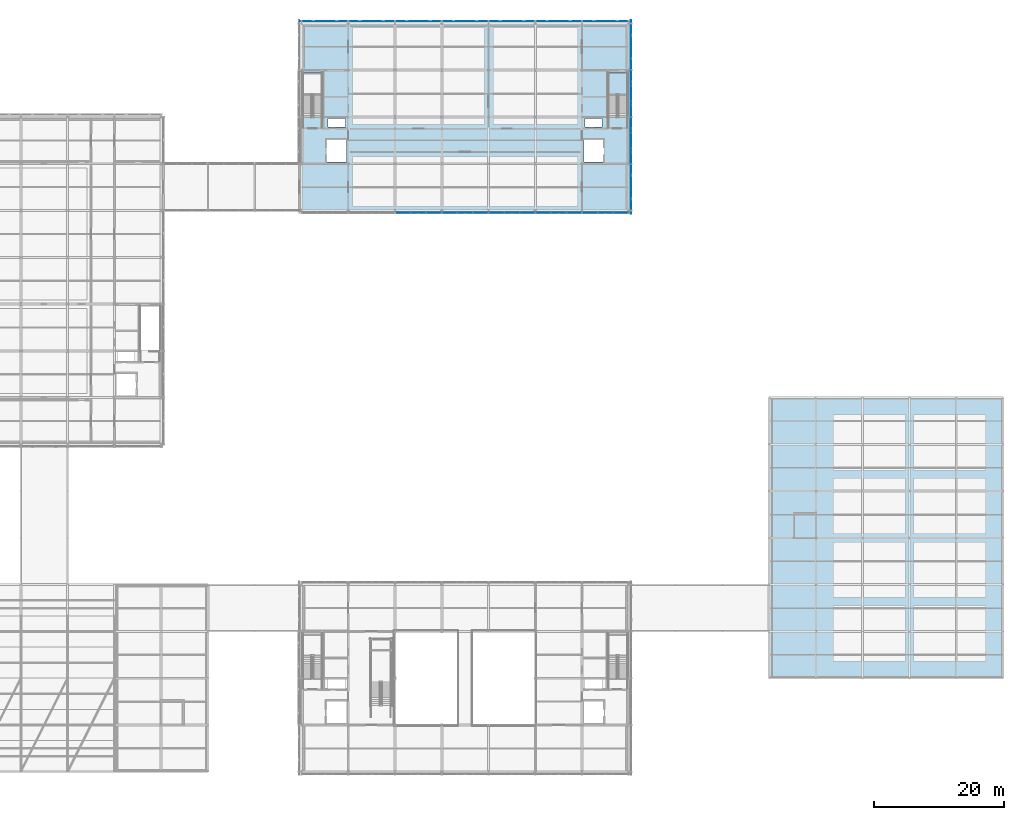
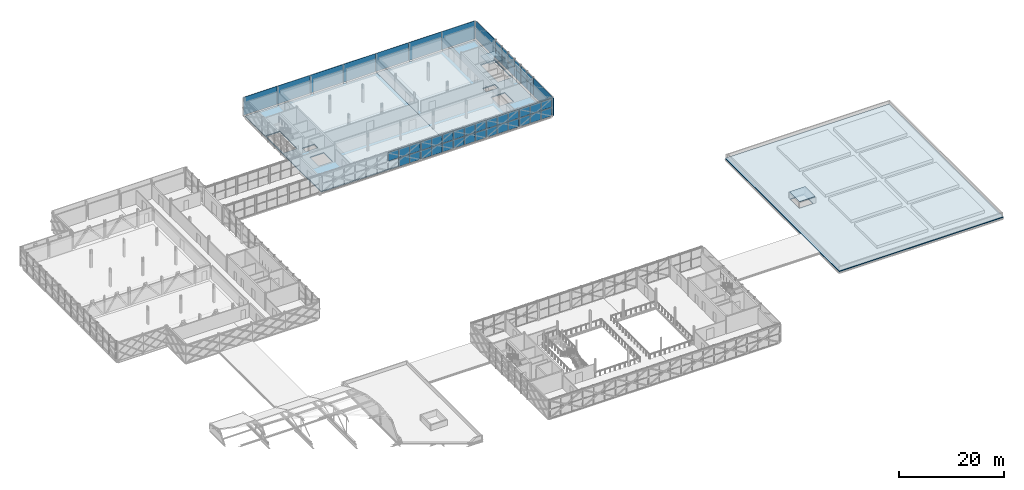
# One storey, part 71 of 103: 50 plates, 5 slabs, 8 elements without a shape of their own.
"""IFC4 building model written with IfcOpenShell, lengths in metres."""

from ifc_helpers import new_model, si_unit, direction, frame, origin, origin_2d, place, context, subcontext, project, spatial, polyline, rectangle, outline, extrude, material, layer, layer_set, type_object, element, aggregate, save


model = new_model("IFC4")

# Units and contexts
model_context = context("Model", 3, precision=1e-05, world=origin(), true_north=direction((0.0, 1.0)))
body_context = subcontext(model_context, "Body", "Model", "MODEL_VIEW")
ifc_project = project(units=[si_unit("LENGTHUNIT", "METRE"), si_unit("AREAUNIT", "SQUARE_METRE"), si_unit("VOLUMEUNIT", "CUBIC_METRE"), si_unit("PLANEANGLEUNIT", "RADIAN"), si_unit("MASSUNIT", "GRAM", prefix="KILO")], contexts=[model_context])

# Site, building, storey
site_placement = place(None, origin())
site = spatial("IfcSite", under=ifc_project, at=site_placement, CompositionType="ELEMENT")
building_placement = place(site_placement, origin())
building = spatial("IfcBuilding", under=site, at=building_placement, Name="Zlatovets Crest Museum", CompositionType="ELEMENT")
storey_placement = place(building_placement, frame((0.0, 0.0, 12.89990234375)))
storey = spatial("IfcBuildingStorey", under=building, at=storey_placement, Name="L03", CompositionType="ELEMENT", Elevation=12.89990234375)

# Curtain wall, plates
ifc_material_1 = material(Name="Bronze-anodised aluminium and low-E triple glass", Category="aluminium")
curtain_wall_type_1 = type_object("IfcCurtainWallType", Name="CW_CW-V1-L03-M0", PredefinedType="NOTDEFINED", material=ifc_material_1)
curtain_wall_1_placement = place(storey_placement, origin())
curtain_wall_1 = element("IfcCurtainWall", 1, at=curtain_wall_1_placement, inside=storey, type_object=curtain_wall_type_1, Name="V1 L03 Secession Foyer Clear Curtain Wall", PredefinedType="NOTDEFINED")
ifc_material_2 = material(Name="Solar-control low-E laminated triple glass", Category="glass")
ifc_layer_1 = layer(ifc_material_2, 0.028076171875)
ifc_layer_set_1 = layer_set([ifc_layer_1], Name="Solar-control low-E laminated triple glass")
plate_type_1 = type_object("IfcPlateType", Name="CWPanel_CW-V1-L03-M0", PredefinedType="CURTAIN_PANEL", material=ifc_layer_set_1)
plate_1_placement = place(storey_placement, frame((87.614990234375, 86.06005859375, 0.06005859375), z_axis=(0.0, 0.0, 1.0), x_axis=(1.0, 0.0, 0.0)))
plate_1 = element("IfcPlate", 2, at=plate_1_placement, type_object=plate_type_1, Name="CW-V1-L03-M0 panel 1.1", PredefinedType="CURTAIN_PANEL", context=body_context, shape_type="SweptSolid", body=[
    extrude(rectangle(XDim=2.31005859375, YDim=0.028076171875, at=origin_2d()), origin(), (0.0, 0.0, 1.0), 2.010009765625),
])
plate_2_placement = place(storey_placement, frame((87.614990234375, 86.06005859375, 2.1298828125), z_axis=(0.0, 0.0, 1.0), x_axis=(1.0, 0.0, 0.0)))
plate_2 = element("IfcPlate", 3, at=plate_2_placement, type_object=plate_type_1, Name="CW-V1-L03-M0 panel 1.2", PredefinedType="CURTAIN_PANEL", context=body_context, shape_type="SweptSolid", body=[
    extrude(rectangle(XDim=2.31005859375, YDim=0.028076171875, at=origin_2d()), origin(), (0.0, 0.0, 1.0), 2.010009765625),
])
plate_3_placement = place(storey_placement, frame((90.0, 86.06005859375, 0.06005859375), z_axis=(0.0, 0.0, 1.0), x_axis=(1.0, 0.0, 0.0)))
plate_3 = element("IfcPlate", 4, at=plate_3_placement, type_object=plate_type_1, Name="CW-V1-L03-M0 panel 2.1", PredefinedType="CURTAIN_PANEL", context=body_context, shape_type="SweptSolid", body=[
    extrude(rectangle(XDim=2.340087890625, YDim=0.028076171875, at=origin_2d()), origin(), (0.0, 0.0, 1.0), 2.010009765625),
])
plate_4_placement = place(storey_placement, frame((90.0, 86.06005859375, 2.1298828125), z_axis=(0.0, 0.0, 1.0), x_axis=(1.0, 0.0, 0.0)))
plate_4 = element("IfcPlate", 5, at=plate_4_placement, type_object=plate_type_1, Name="CW-V1-L03-M0 panel 2.2", PredefinedType="CURTAIN_PANEL", context=body_context, shape_type="SweptSolid", body=[
    extrude(rectangle(XDim=2.340087890625, YDim=0.028076171875, at=origin_2d()), origin(), (0.0, 0.0, 1.0), 2.010009765625),
])
plate_5_placement = place(storey_placement, frame((92.385009765625, 86.06005859375, 0.06005859375), z_axis=(0.0, 0.0, 1.0), x_axis=(1.0, 0.0, 0.0)))
plate_5 = element("IfcPlate", 6, at=plate_5_placement, type_object=plate_type_1, Name="CW-V1-L03-M0 panel 3.1", PredefinedType="CURTAIN_PANEL", context=body_context, shape_type="SweptSolid", body=[
    extrude(rectangle(XDim=2.31005859375, YDim=0.028076171875, at=origin_2d()), origin(), (0.0, 0.0, 1.0), 2.010009765625),
])
plate_6_placement = place(storey_placement, frame((92.385009765625, 86.06005859375, 2.1298828125), z_axis=(0.0, 0.0, 1.0), x_axis=(1.0, 0.0, 0.0)))
plate_6 = element("IfcPlate", 7, at=plate_6_placement, type_object=plate_type_1, Name="CW-V1-L03-M0 panel 3.2", PredefinedType="CURTAIN_PANEL", context=body_context, shape_type="SweptSolid", body=[
    extrude(rectangle(XDim=2.31005859375, YDim=0.028076171875, at=origin_2d()), origin(), (0.0, 0.0, 1.0), 2.010009765625),
])
aggregate(curtain_wall_1, [plate_1, plate_2, plate_3, plate_4, plate_5, plate_6])

curtain_wall_2_placement = place(storey_placement, origin())
curtain_wall_2 = element("IfcCurtainWall", 8, at=curtain_wall_2_placement, inside=storey, type_object=curtain_wall_type_1, Name="V1 L03 Expressed Core Glazed Facade", PredefinedType="NOTDEFINED")
plate_7_placement = place(storey_placement, frame((108.340087890625, 94.81494140625, 0.06005859375), z_axis=(0.0, 0.0, 1.0), x_axis=(0.0, 1.0, 0.0)))
plate_7 = element("IfcPlate", 9, at=plate_7_placement, type_object=plate_type_1, Name="CW-V1-L03-M0 panel 1.1", PredefinedType="CURTAIN_PANEL", context=body_context, shape_type="SweptSolid", body=[
    extrude(rectangle(XDim=2.31005859375, YDim=0.030029296875, at=origin_2d()), origin(), (0.0, 0.0, 1.0), 2.010009765625),
])
plate_8_placement = place(storey_placement, frame((108.340087890625, 94.81494140625, 2.1298828125), z_axis=(0.0, 0.0, 1.0), x_axis=(0.0, 1.0, 0.0)))
plate_8 = element("IfcPlate", 10, at=plate_8_placement, type_object=plate_type_1, Name="CW-V1-L03-M0 panel 1.2", PredefinedType="CURTAIN_PANEL", context=body_context, shape_type="SweptSolid", body=[
    extrude(rectangle(XDim=2.31005859375, YDim=0.030029296875, at=origin_2d()), origin(), (0.0, 0.0, 1.0), 2.010009765625),
])
plate_9_placement = place(storey_placement, frame((108.340087890625, 97.199951171875, 0.06005859375), z_axis=(0.0, 0.0, 1.0), x_axis=(0.0, 1.0, 0.0)))
plate_9 = element("IfcPlate", 11, at=plate_9_placement, type_object=plate_type_1, Name="CW-V1-L03-M0 panel 2.1", PredefinedType="CURTAIN_PANEL", context=body_context, shape_type="SweptSolid", body=[
    extrude(rectangle(XDim=2.340087890625, YDim=0.030029296875, at=origin_2d()), origin(), (0.0, 0.0, 1.0), 2.010009765625),
])
plate_10_placement = place(storey_placement, frame((108.340087890625, 97.199951171875, 2.1298828125), z_axis=(0.0, 0.0, 1.0), x_axis=(0.0, 1.0, 0.0)))
plate_10 = element("IfcPlate", 12, at=plate_10_placement, type_object=plate_type_1, Name="CW-V1-L03-M0 panel 2.2", PredefinedType="CURTAIN_PANEL", context=body_context, shape_type="SweptSolid", body=[
    extrude(rectangle(XDim=2.340087890625, YDim=0.030029296875, at=origin_2d()), origin(), (0.0, 0.0, 1.0), 2.010009765625),
])
plate_11_placement = place(storey_placement, frame((108.340087890625, 99.5849609375, 0.06005859375), z_axis=(0.0, 0.0, 1.0), x_axis=(0.0, 1.0, 0.0)))
plate_11 = element("IfcPlate", 13, at=plate_11_placement, type_object=plate_type_1, Name="CW-V1-L03-M0 panel 3.1", PredefinedType="CURTAIN_PANEL", context=body_context, shape_type="SweptSolid", body=[
    extrude(rectangle(XDim=2.31005859375, YDim=0.030029296875, at=origin_2d()), origin(), (0.0, 0.0, 1.0), 2.010009765625),
])
plate_12_placement = place(storey_placement, frame((108.340087890625, 99.5849609375, 2.1298828125), z_axis=(0.0, 0.0, 1.0), x_axis=(0.0, 1.0, 0.0)))
plate_12 = element("IfcPlate", 14, at=plate_12_placement, type_object=plate_type_1, Name="CW-V1-L03-M0 panel 3.2", PredefinedType="CURTAIN_PANEL", context=body_context, shape_type="SweptSolid", body=[
    extrude(rectangle(XDim=2.31005859375, YDim=0.030029296875, at=origin_2d()), origin(), (0.0, 0.0, 1.0), 2.010009765625),
])
aggregate(curtain_wall_2, [plate_7, plate_8, plate_9, plate_10, plate_11, plate_12])

curtain_wall_type_2 = type_object("IfcCurtainWallType", Name="CW_CW-V1-L03-M1", PredefinedType="NOTDEFINED", material=ifc_material_1)
curtain_wall_3_placement = place(storey_placement, origin())
curtain_wall_3 = element("IfcCurtainWall", 15, at=curtain_wall_3_placement, inside=storey, type_object=curtain_wall_type_2, Name="V1 L03 Secession Foyer Clear Curtain Wall", PredefinedType="NOTDEFINED")
ifc_layer_2 = layer(ifc_material_2, 0.031982421875)
ifc_layer_set_2 = layer_set([ifc_layer_2], Name="Solar-control low-E laminated triple glass")
plate_type_2 = type_object("IfcPlateType", Name="CWPanel_CW-V1-L03-M1", PredefinedType="CURTAIN_PANEL", material=ifc_layer_set_2)
plate_13_placement = place(storey_placement, frame((94.81494140625, 86.06005859375, 0.06005859375), z_axis=(0.0, 0.0, 1.0), x_axis=(1.0, 0.0, 0.0)))
plate_13 = element("IfcPlate", 16, at=plate_13_placement, type_object=plate_type_2, Name="CW-V1-L03-M1 panel 1.1", PredefinedType="CURTAIN_PANEL", context=body_context, shape_type="SweptSolid", body=[
    extrude(rectangle(XDim=2.31005859375, YDim=0.031982421875, at=origin_2d()), origin(), (0.0, 0.0, 1.0), 2.010009765625),
])
plate_14_placement = place(storey_placement, frame((94.81494140625, 86.06005859375, 2.1298828125), z_axis=(0.0, 0.0, 1.0), x_axis=(1.0, 0.0, 0.0)))
plate_14 = element("IfcPlate", 17, at=plate_14_placement, type_object=plate_type_2, Name="CW-V1-L03-M1 panel 1.2", PredefinedType="CURTAIN_PANEL", context=body_context, shape_type="SweptSolid", body=[
    extrude(rectangle(XDim=2.31005859375, YDim=0.031982421875, at=origin_2d()), origin(), (0.0, 0.0, 1.0), 2.010009765625),
])
plate_15_placement = place(storey_placement, frame((97.199951171875, 86.06005859375, 0.06005859375), z_axis=(0.0, 0.0, 1.0), x_axis=(1.0, 0.0, 0.0)))
plate_15 = element("IfcPlate", 18, at=plate_15_placement, type_object=plate_type_2, Name="CW-V1-L03-M1 panel 2.1", PredefinedType="CURTAIN_PANEL", context=body_context, shape_type="SweptSolid", body=[
    extrude(rectangle(XDim=2.340087890625, YDim=0.031982421875, at=origin_2d()), origin(), (0.0, 0.0, 1.0), 2.010009765625),
])
plate_16_placement = place(storey_placement, frame((97.199951171875, 86.06005859375, 2.1298828125), z_axis=(0.0, 0.0, 1.0), x_axis=(1.0, 0.0, 0.0)))
plate_16 = element("IfcPlate", 19, at=plate_16_placement, type_object=plate_type_2, Name="CW-V1-L03-M1 panel 2.2", PredefinedType="CURTAIN_PANEL", context=body_context, shape_type="SweptSolid", body=[
    extrude(rectangle(XDim=2.340087890625, YDim=0.031982421875, at=origin_2d()), origin(), (0.0, 0.0, 1.0), 2.010009765625),
])
plate_17_placement = place(storey_placement, frame((99.5849609375, 86.06005859375, 0.06005859375), z_axis=(0.0, 0.0, 1.0), x_axis=(1.0, 0.0, 0.0)))
plate_17 = element("IfcPlate", 20, at=plate_17_placement, type_object=plate_type_2, Name="CW-V1-L03-M1 panel 3.1", PredefinedType="CURTAIN_PANEL", context=body_context, shape_type="SweptSolid", body=[
    extrude(rectangle(XDim=2.31005859375, YDim=0.031982421875, at=origin_2d()), origin(), (0.0, 0.0, 1.0), 2.010009765625),
])
plate_18_placement = place(storey_placement, frame((99.5849609375, 86.06005859375, 2.1298828125), z_axis=(0.0, 0.0, 1.0), x_axis=(1.0, 0.0, 0.0)))
plate_18 = element("IfcPlate", 21, at=plate_18_placement, type_object=plate_type_2, Name="CW-V1-L03-M1 panel 3.2", PredefinedType="CURTAIN_PANEL", context=body_context, shape_type="SweptSolid", body=[
    extrude(rectangle(XDim=2.31005859375, YDim=0.031982421875, at=origin_2d()), origin(), (0.0, 0.0, 1.0), 2.010009765625),
])
aggregate(curtain_wall_3, [plate_13, plate_14, plate_15, plate_16, plate_17, plate_18])

curtain_wall_4_placement = place(storey_placement, origin())
curtain_wall_4 = element("IfcCurtainWall", 22, at=curtain_wall_4_placement, inside=storey, type_object=curtain_wall_type_2, Name="V1 L03 Expressed Core Glazed Facade", PredefinedType="NOTDEFINED")
plate_19_placement = place(storey_placement, frame((108.340087890625, 102.014892578125, 0.06005859375), z_axis=(0.0, 0.0, 1.0), x_axis=(0.0, 1.0, 0.0)))
plate_19 = element("IfcPlate", 23, at=plate_19_placement, type_object=plate_type_2, Name="CW-V1-L03-M1 panel 1.1", PredefinedType="CURTAIN_PANEL", context=body_context, shape_type="SweptSolid", body=[
    extrude(rectangle(XDim=2.31005859375, YDim=0.030029296875, at=origin_2d()), origin(), (0.0, 0.0, 1.0), 2.010009765625),
])
plate_20_placement = place(storey_placement, frame((108.340087890625, 102.014892578125, 2.1298828125), z_axis=(0.0, 0.0, 1.0), x_axis=(0.0, 1.0, 0.0)))
plate_20 = element("IfcPlate", 24, at=plate_20_placement, type_object=plate_type_2, Name="CW-V1-L03-M1 panel 1.2", PredefinedType="CURTAIN_PANEL", context=body_context, shape_type="SweptSolid", body=[
    extrude(rectangle(XDim=2.31005859375, YDim=0.030029296875, at=origin_2d()), origin(), (0.0, 0.0, 1.0), 2.010009765625),
])
plate_21_placement = place(storey_placement, frame((108.340087890625, 104.39990234375, 0.06005859375), z_axis=(0.0, 0.0, 1.0), x_axis=(0.0, 1.0, 0.0)))
plate_21 = element("IfcPlate", 25, at=plate_21_placement, type_object=plate_type_2, Name="CW-V1-L03-M1 panel 2.1", PredefinedType="CURTAIN_PANEL", context=body_context, shape_type="SweptSolid", body=[
    extrude(rectangle(XDim=2.340087890625, YDim=0.030029296875, at=origin_2d()), origin(), (0.0, 0.0, 1.0), 2.010009765625),
])
plate_22_placement = place(storey_placement, frame((108.340087890625, 104.39990234375, 2.1298828125), z_axis=(0.0, 0.0, 1.0), x_axis=(0.0, 1.0, 0.0)))
plate_22 = element("IfcPlate", 26, at=plate_22_placement, type_object=plate_type_2, Name="CW-V1-L03-M1 panel 2.2", PredefinedType="CURTAIN_PANEL", context=body_context, shape_type="SweptSolid", body=[
    extrude(rectangle(XDim=2.340087890625, YDim=0.030029296875, at=origin_2d()), origin(), (0.0, 0.0, 1.0), 2.010009765625),
])
plate_23_placement = place(storey_placement, frame((108.340087890625, 106.784912109375, 0.06005859375), z_axis=(0.0, 0.0, 1.0), x_axis=(0.0, 1.0, 0.0)))
plate_23 = element("IfcPlate", 27, at=plate_23_placement, type_object=plate_type_2, Name="CW-V1-L03-M1 panel 3.1", PredefinedType="CURTAIN_PANEL", context=body_context, shape_type="SweptSolid", body=[
    extrude(rectangle(XDim=2.31005859375, YDim=0.030029296875, at=origin_2d()), origin(), (0.0, 0.0, 1.0), 2.010009765625),
])
plate_24_placement = place(storey_placement, frame((108.340087890625, 106.784912109375, 2.1298828125), z_axis=(0.0, 0.0, 1.0), x_axis=(0.0, 1.0, 0.0)))
plate_24 = element("IfcPlate", 28, at=plate_24_placement, type_object=plate_type_2, Name="CW-V1-L03-M1 panel 3.2", PredefinedType="CURTAIN_PANEL", context=body_context, shape_type="SweptSolid", body=[
    extrude(rectangle(XDim=2.31005859375, YDim=0.030029296875, at=origin_2d()), origin(), (0.0, 0.0, 1.0), 2.010009765625),
])
aggregate(curtain_wall_4, [plate_19, plate_20, plate_21, plate_22, plate_23, plate_24])

curtain_wall_type_3 = type_object("IfcCurtainWallType", Name="CW_CW-V1-L03-M2", PredefinedType="NOTDEFINED", material=ifc_material_1)
curtain_wall_5_placement = place(storey_placement, origin())
curtain_wall_5 = element("IfcCurtainWall", 29, at=curtain_wall_5_placement, inside=storey, type_object=curtain_wall_type_3, Name="V1 L03 Secession Foyer Clear Curtain Wall", PredefinedType="NOTDEFINED")
ifc_layer_3 = layer(ifc_material_2, 0.035888671875)
ifc_layer_set_3 = layer_set([ifc_layer_3], Name="Solar-control low-E laminated triple glass")
plate_type_3 = type_object("IfcPlateType", Name="CWPanel_CW-V1-L03-M2", PredefinedType="CURTAIN_PANEL", material=ifc_layer_set_3)
plate_25_placement = place(storey_placement, frame((73.215087890625, 86.06005859375, 2.1298828125), z_axis=(0.0, 0.0, 1.0), x_axis=(1.0, 0.0, 0.0)))
plate_25 = element("IfcPlate", 30, at=plate_25_placement, type_object=plate_type_3, Name="CW-V1-L03-M2 panel 1.2", PredefinedType="CURTAIN_PANEL", context=body_context, shape_type="SweptSolid", body=[
    extrude(rectangle(XDim=2.31005859375, YDim=0.035888671875, at=origin_2d()), origin(), (0.0, 0.0, 1.0), 2.010009765625),
])
plate_26_placement = place(storey_placement, frame((75.60009765625, 86.06005859375, 0.06005859375), z_axis=(0.0, 0.0, 1.0), x_axis=(1.0, 0.0, 0.0)))
plate_26 = element("IfcPlate", 31, at=plate_26_placement, type_object=plate_type_3, Name="CW-V1-L03-M2 panel 2.1", PredefinedType="CURTAIN_PANEL", context=body_context, shape_type="SweptSolid", body=[
    extrude(rectangle(XDim=2.340087890625, YDim=0.035888671875, at=origin_2d()), origin(), (0.0, 0.0, 1.0), 2.010009765625),
])
plate_27_placement = place(storey_placement, frame((75.60009765625, 86.06005859375, 2.1298828125), z_axis=(0.0, 0.0, 1.0), x_axis=(1.0, 0.0, 0.0)))
plate_27 = element("IfcPlate", 32, at=plate_27_placement, type_object=plate_type_3, Name="CW-V1-L03-M2 panel 2.2", PredefinedType="CURTAIN_PANEL", context=body_context, shape_type="SweptSolid", body=[
    extrude(rectangle(XDim=2.340087890625, YDim=0.035888671875, at=origin_2d()), origin(), (0.0, 0.0, 1.0), 2.010009765625),
])
plate_28_placement = place(storey_placement, frame((77.985107421875, 86.06005859375, 0.06005859375), z_axis=(0.0, 0.0, 1.0), x_axis=(1.0, 0.0, 0.0)))
plate_28 = element("IfcPlate", 33, at=plate_28_placement, type_object=plate_type_3, Name="CW-V1-L03-M2 panel 3.1", PredefinedType="CURTAIN_PANEL", context=body_context, shape_type="SweptSolid", body=[
    extrude(rectangle(XDim=2.31005859375, YDim=0.035888671875, at=origin_2d()), origin(), (0.0, 0.0, 1.0), 2.010009765625),
])
plate_29_placement = place(storey_placement, frame((77.985107421875, 86.06005859375, 2.1298828125), z_axis=(0.0, 0.0, 1.0), x_axis=(1.0, 0.0, 0.0)))
plate_29 = element("IfcPlate", 34, at=plate_29_placement, type_object=plate_type_3, Name="CW-V1-L03-M2 panel 3.2", PredefinedType="CURTAIN_PANEL", context=body_context, shape_type="SweptSolid", body=[
    extrude(rectangle(XDim=2.31005859375, YDim=0.035888671875, at=origin_2d()), origin(), (0.0, 0.0, 1.0), 2.010009765625),
])
aggregate(curtain_wall_5, [plate_25, plate_26, plate_27, plate_28, plate_29])

curtain_wall_6_placement = place(storey_placement, origin())
curtain_wall_6 = element("IfcCurtainWall", 35, at=curtain_wall_6_placement, inside=storey, type_object=curtain_wall_type_3, Name="V1 L03 Secession Foyer Clear Curtain Wall", PredefinedType="NOTDEFINED")
plate_30_placement = place(storey_placement, frame((102.014892578125, 86.06005859375, 0.06005859375), z_axis=(0.0, 0.0, 1.0), x_axis=(1.0, 0.0, 0.0)))
plate_30 = element("IfcPlate", 36, at=plate_30_placement, type_object=plate_type_3, Name="CW-V1-L03-M2 panel 1.1", PredefinedType="CURTAIN_PANEL", context=body_context, shape_type="SweptSolid", body=[
    extrude(rectangle(XDim=2.31005859375, YDim=0.035888671875, at=origin_2d()), origin(), (0.0, 0.0, 1.0), 2.010009765625),
])
plate_31_placement = place(storey_placement, frame((102.014892578125, 86.06005859375, 2.1298828125), z_axis=(0.0, 0.0, 1.0), x_axis=(1.0, 0.0, 0.0)))
plate_31 = element("IfcPlate", 37, at=plate_31_placement, type_object=plate_type_3, Name="CW-V1-L03-M2 panel 1.2", PredefinedType="CURTAIN_PANEL", context=body_context, shape_type="SweptSolid", body=[
    extrude(rectangle(XDim=2.31005859375, YDim=0.035888671875, at=origin_2d()), origin(), (0.0, 0.0, 1.0), 2.010009765625),
])
plate_32_placement = place(storey_placement, frame((104.39990234375, 86.06005859375, 0.06005859375), z_axis=(0.0, 0.0, 1.0), x_axis=(1.0, 0.0, 0.0)))
plate_32 = element("IfcPlate", 38, at=plate_32_placement, type_object=plate_type_3, Name="CW-V1-L03-M2 panel 2.1", PredefinedType="CURTAIN_PANEL", context=body_context, shape_type="SweptSolid", body=[
    extrude(rectangle(XDim=2.340087890625, YDim=0.035888671875, at=origin_2d()), origin(), (0.0, 0.0, 1.0), 2.010009765625),
])
plate_33_placement = place(storey_placement, frame((104.39990234375, 86.06005859375, 2.1298828125), z_axis=(0.0, 0.0, 1.0), x_axis=(1.0, 0.0, 0.0)))
plate_33 = element("IfcPlate", 39, at=plate_33_placement, type_object=plate_type_3, Name="CW-V1-L03-M2 panel 2.2", PredefinedType="CURTAIN_PANEL", context=body_context, shape_type="SweptSolid", body=[
    extrude(rectangle(XDim=2.340087890625, YDim=0.035888671875, at=origin_2d()), origin(), (0.0, 0.0, 1.0), 2.010009765625),
])
plate_34_placement = place(storey_placement, frame((106.784912109375, 86.06005859375, 0.06005859375), z_axis=(0.0, 0.0, 1.0), x_axis=(1.0, 0.0, 0.0)))
plate_34 = element("IfcPlate", 40, at=plate_34_placement, type_object=plate_type_3, Name="CW-V1-L03-M2 panel 3.1", PredefinedType="CURTAIN_PANEL", context=body_context, shape_type="SweptSolid", body=[
    extrude(rectangle(XDim=2.31005859375, YDim=0.035888671875, at=origin_2d()), origin(), (0.0, 0.0, 1.0), 2.010009765625),
])
plate_35_placement = place(storey_placement, frame((106.784912109375, 86.06005859375, 2.1298828125), z_axis=(0.0, 0.0, 1.0), x_axis=(1.0, 0.0, 0.0)))
plate_35 = element("IfcPlate", 41, at=plate_35_placement, type_object=plate_type_3, Name="CW-V1-L03-M2 panel 3.2", PredefinedType="CURTAIN_PANEL", context=body_context, shape_type="SweptSolid", body=[
    extrude(rectangle(XDim=2.31005859375, YDim=0.035888671875, at=origin_2d()), origin(), (0.0, 0.0, 1.0), 2.010009765625),
])
aggregate(curtain_wall_6, [plate_30, plate_31, plate_32, plate_33, plate_34, plate_35])

curtain_wall_type_4 = type_object("IfcCurtainWallType", Name="CW_CW-V1-L03-M3", PredefinedType="NOTDEFINED", material=ifc_material_1)
curtain_wall_7_placement = place(storey_placement, origin())
curtain_wall_7 = element("IfcCurtainWall", 42, at=curtain_wall_7_placement, inside=storey, type_object=curtain_wall_type_4, Name="V1 L03 Secession Foyer Clear Curtain Wall", PredefinedType="NOTDEFINED")
ifc_layer_4 = layer(ifc_material_2, 0.0400390625)
ifc_layer_set_4 = layer_set([ifc_layer_4], Name="Solar-control low-E laminated triple glass")
plate_type_4 = type_object("IfcPlateType", Name="CWPanel_CW-V1-L03-M3", PredefinedType="CURTAIN_PANEL", material=ifc_layer_set_4)
plate_36_placement = place(storey_placement, frame((80.4150390625, 86.06005859375, 0.06005859375), z_axis=(0.0, 0.0, 1.0), x_axis=(1.0, 0.0, 0.0)))
plate_36 = element("IfcPlate", 43, at=plate_36_placement, type_object=plate_type_4, Name="CW-V1-L03-M3 panel 1.1", PredefinedType="CURTAIN_PANEL", context=body_context, shape_type="SweptSolid", body=[
    extrude(rectangle(XDim=2.31005859375, YDim=0.0400390625, at=origin_2d()), origin(), (0.0, 0.0, 1.0), 2.010009765625),
])
plate_37_placement = place(storey_placement, frame((80.4150390625, 86.06005859375, 2.1298828125), z_axis=(0.0, 0.0, 1.0), x_axis=(1.0, 0.0, 0.0)))
plate_37 = element("IfcPlate", 44, at=plate_37_placement, type_object=plate_type_4, Name="CW-V1-L03-M3 panel 1.2", PredefinedType="CURTAIN_PANEL", context=body_context, shape_type="SweptSolid", body=[
    extrude(rectangle(XDim=2.31005859375, YDim=0.0400390625, at=origin_2d()), origin(), (0.0, 0.0, 1.0), 2.010009765625),
])
plate_38_placement = place(storey_placement, frame((82.800048828125, 86.06005859375, 0.06005859375), z_axis=(0.0, 0.0, 1.0), x_axis=(1.0, 0.0, 0.0)))
plate_38 = element("IfcPlate", 45, at=plate_38_placement, type_object=plate_type_4, Name="CW-V1-L03-M3 panel 2.1", PredefinedType="CURTAIN_PANEL", context=body_context, shape_type="SweptSolid", body=[
    extrude(rectangle(XDim=2.340087890625, YDim=0.0400390625, at=origin_2d()), origin(), (0.0, 0.0, 1.0), 2.010009765625),
])
plate_39_placement = place(storey_placement, frame((82.800048828125, 86.06005859375, 2.1298828125), z_axis=(0.0, 0.0, 1.0), x_axis=(1.0, 0.0, 0.0)))
plate_39 = element("IfcPlate", 46, at=plate_39_placement, type_object=plate_type_4, Name="CW-V1-L03-M3 panel 2.2", PredefinedType="CURTAIN_PANEL", context=body_context, shape_type="SweptSolid", body=[
    extrude(rectangle(XDim=2.340087890625, YDim=0.0400390625, at=origin_2d()), origin(), (0.0, 0.0, 1.0), 2.010009765625),
])
plate_40_placement = place(storey_placement, frame((85.18505859375, 86.06005859375, 0.06005859375), z_axis=(0.0, 0.0, 1.0), x_axis=(1.0, 0.0, 0.0)))
plate_40 = element("IfcPlate", 47, at=plate_40_placement, type_object=plate_type_4, Name="CW-V1-L03-M3 panel 3.1", PredefinedType="CURTAIN_PANEL", context=body_context, shape_type="SweptSolid", body=[
    extrude(rectangle(XDim=2.31005859375, YDim=0.0400390625, at=origin_2d()), origin(), (0.0, 0.0, 1.0), 2.010009765625),
])
plate_41_placement = place(storey_placement, frame((85.18505859375, 86.06005859375, 2.1298828125), z_axis=(0.0, 0.0, 1.0), x_axis=(1.0, 0.0, 0.0)))
plate_41 = element("IfcPlate", 48, at=plate_41_placement, type_object=plate_type_4, Name="CW-V1-L03-M3 panel 3.2", PredefinedType="CURTAIN_PANEL", context=body_context, shape_type="SweptSolid", body=[
    extrude(rectangle(XDim=2.31005859375, YDim=0.0400390625, at=origin_2d()), origin(), (0.0, 0.0, 1.0), 2.010009765625),
])
aggregate(curtain_wall_7, [plate_36, plate_37, plate_38, plate_39, plate_40, plate_41])

# Plates
ifc_material_3 = material(Name="Ceramic-fritted low-E laminated architectural glass", Category="glass")
ifc_layer_5 = layer(ifc_material_3, 0.031982421875)
ifc_layer_set_5 = layer_set([ifc_layer_5], Name="Ceramic-fritted low-E laminated architectural glass")
plate_type_5 = type_object("IfcPlateType", Name="GlazedSpandrel_GSP1", PredefinedType="USERDEFINED", material=ifc_layer_set_5)
for number, where, z_axis, x_axis, name in (
    (49, (108.340087890625, 89.760009765625, 0.0), (0.0, 0.0, 1.0), (0.0, 1.0, 0.0), "V1 L03 Ceramic-Fritted Gallery Glass Skin"),
    (50, (108.340087890625, 111.840087890625, 0.0), (0.0, 0.0, 1.0), (0.0, 1.0, 0.0), "V1 L03 Ceramic-Fritted Gallery Glass Skin"),
):
    element("IfcPlate", number, at=place(storey_placement, frame(where, z_axis=z_axis, x_axis=x_axis)), inside=storey, type_object=plate_type_5, Name=name, ObjectType="GLAZED_SPANDREL", PredefinedType="USERDEFINED", context=body_context, shape_type="SweptSolid", body=[
        extrude(rectangle(XDim=7.679931640625, YDim=0.031982421875, at=origin_2d()), origin(), (0.0, 0.0, 1.0), 4.199951171875),
    ])
plate_42_placement = place(storey_placement, frame((104.5, 115.5400390625, 0.0), z_axis=(0.0, 0.0, 1.0), x_axis=(1.0, 0.0, 0.0)))
element("IfcPlate", 51, at=plate_42_placement, inside=storey, type_object=plate_type_5, Name="V1 L03 Ceramic-Fritted Gallery Glass Skin", ObjectType="GLAZED_SPANDREL", PredefinedType="USERDEFINED", context=body_context, shape_type="SweptSolid", body=[
    extrude(rectangle(XDim=7.39990234375, YDim=0.031982421875, at=origin_2d()), origin(), (0.0, 0.0, 1.0), 4.199951171875),
])
for number, where, z_axis, x_axis, name in (
    (52, (97.199951171875, 115.5400390625, 0.0), (0.0, 0.0, 1.0), (1.0, 0.0, 0.0), "V1 L03 Ceramic-Fritted Gallery Glass Skin"),
    (53, (90.0, 115.5400390625, 0.0), (0.0, 0.0, 1.0), (1.0, 0.0, 0.0), "V1 L03 Ceramic-Fritted Gallery Glass Skin"),
    (54, (82.800048828125, 115.5400390625, 0.0), (0.0, 0.0, 1.0), (1.0, 0.0, 0.0), "V1 L03 Ceramic-Fritted Gallery Glass Skin"),
    (55, (75.60009765625, 115.5400390625, 0.0), (0.0, 0.0, 1.0), (1.0, 0.0, 0.0), "V1 L03 Ceramic-Fritted Gallery Glass Skin"),
    (56, (68.39990234375, 115.5400390625, 0.0), (0.0, 0.0, 1.0), (1.0, 0.0, 0.0), "V1 L03 Ceramic-Fritted Gallery Glass Skin"),
):
    element("IfcPlate", number, at=place(storey_placement, frame(where, z_axis=z_axis, x_axis=x_axis)), inside=storey, type_object=plate_type_5, Name=name, ObjectType="GLAZED_SPANDREL", PredefinedType="USERDEFINED", context=body_context, shape_type="SweptSolid", body=[
        extrude(rectangle(XDim=7.199951171875, YDim=0.031982421875, at=origin_2d()), origin(), (0.0, 0.0, 1.0), 4.199951171875),
    ])
plate_43_placement = place(storey_placement, frame((61.10009765625, 115.5400390625, 0.0), z_axis=(0.0, 0.0, 1.0), x_axis=(1.0, 0.0, 0.0)))
element("IfcPlate", 57, at=plate_43_placement, inside=storey, type_object=plate_type_5, Name="V1 L03 Ceramic-Fritted Gallery Glass Skin", ObjectType="GLAZED_SPANDREL", PredefinedType="USERDEFINED", context=body_context, shape_type="SweptSolid", body=[
    extrude(rectangle(XDim=7.39990234375, YDim=0.031982421875, at=origin_2d()), origin(), (0.0, 0.0, 1.0), 4.199951171875),
])

# Slabs
ifc_material_4 = material(Name="Concrete C30/37", Category="concrete")
ifc_layer_6 = layer(ifc_material_4, 0.239990234375)
ifc_layer_set_6 = layer_set([ifc_layer_6], Name="Concrete C30/37")
slab_type_1 = type_object("IfcSlabType", Name="Slab_FS-03", PredefinedType="FLOOR", material=ifc_layer_set_6)
slab_1_placement = place(storey_placement, frame((0.0, 0.0, -0.239990234375)))
element("IfcSlab", 58, at=slab_1_placement, inside=storey, type_object=slab_type_1, Name="V1 L03 Structural Slab Panel 1", PredefinedType="FLOOR", context=body_context, shape_type="SweptSolid", body=[
    extrude(outline(polyline([(86.39990234375, 115.199951171875), (86.39990234375, 86.39990234375), (57.60009765625, 86.39990234375), (57.60009765625, 115.199951171875), (86.39990234375, 115.199951171875)]), holes=[polyline([(57.800048828125, 107.60009765625), (57.800048828125, 100.93994140625), (60.800048828125, 100.93994140625), (60.800048828125, 107.60009765625), (57.800048828125, 107.60009765625)]), polyline([(64.5, 93.89990234375), (64.5, 97.300048828125), (61.449951171875, 97.300048828125), (61.449951171875, 93.89990234375), (64.5, 93.89990234375)]), polyline([(61.699951171875, 99.25), (64.35009765625, 99.25), (64.35009765625, 100.60009765625), (61.699951171875, 100.60009765625), (61.699951171875, 99.25)])]), origin(), (0.0, 0.0, 1.0), 0.239990234375),
])
slab_2_placement = place(storey_placement, frame((0.0, 0.0, -0.239990234375)))
element("IfcSlab", 59, at=slab_2_placement, inside=storey, type_object=slab_type_1, Name="V1 L03 Structural Slab Panel 2", PredefinedType="FLOOR", context=body_context, shape_type="SweptSolid", body=[
    extrude(outline(polyline([(86.39990234375, 86.39990234375), (86.39990234375, 115.199951171875), (108.0, 115.199951171875), (108.0, 86.39990234375), (86.39990234375, 86.39990234375)]), holes=[polyline([(107.800048828125, 107.60009765625), (104.800048828125, 107.60009765625), (104.800048828125, 100.93994140625), (107.800048828125, 100.93994140625), (107.800048828125, 107.60009765625)]), polyline([(101.10009765625, 97.300048828125), (101.10009765625, 93.89990234375), (104.14990234375, 93.89990234375), (104.14990234375, 97.300048828125), (101.10009765625, 97.300048828125)]), polyline([(103.89990234375, 100.60009765625), (101.25, 100.60009765625), (101.25, 99.25), (103.89990234375, 99.25), (103.89990234375, 100.60009765625)])]), origin(), (0.0, 0.0, 1.0), 0.239990234375),
])
ifc_layer_7 = layer(ifc_material_4, 0.219970703125)
ifc_layer_set_7 = layer_set([ifc_layer_7], Name="Concrete C30/37")
slab_type_2 = type_object("IfcSlabType", Name="Slab_RS-01", PredefinedType="ROOF", material=ifc_layer_set_7)
slab_3_placement = place(storey_placement, frame((0.0, 0.0, -0.219970703125)))
element("IfcSlab", 60, at=slab_3_placement, inside=storey, type_object=slab_type_2, Name="V5 L03 Roof Slab", PredefinedType="ROOF", context=body_context, shape_type="SweptSolid", body=[
    extrude(outline(polyline([(129.60009765625, 14.39990234375), (129.60009765625, 57.60009765625), (165.60009765625, 57.60009765625), (165.60009765625, 14.39990234375), (129.60009765625, 14.39990234375)]), holes=[polyline([(136.5, 39.699951171875), (133.449951171875, 39.699951171875), (133.449951171875, 36.300048828125), (136.5, 36.300048828125), (136.5, 39.699951171875)])]), origin(), (0.0, 0.0, 1.0), 0.219970703125),
])
ifc_layer_8 = layer(ifc_material_4, 0.179931640625)
ifc_layer_set_8 = layer_set([ifc_layer_8], Name="Concrete C30/37")
slab_type_3 = type_object("IfcSlabType", Name="Slab_RS-05", PredefinedType="ROOF", material=ifc_layer_set_8)
slab_4_placement = place(storey_placement, frame((0.0, 0.0, 1.5)))
element("IfcSlab", 61, at=slab_4_placement, inside=storey, type_object=slab_type_3, Name="Lift GL1 Overrun Roof Slab", PredefinedType="ROOF", context=body_context, shape_type="SweptSolid", body=[
    extrude(outline(polyline([(133.39990234375, 36.0), (136.800048828125, 36.0), (136.800048828125, 39.800048828125), (133.39990234375, 39.800048828125), (133.39990234375, 36.0)])), origin(), (0.0, 0.0, 1.0), 0.18017578125),
])

# Stair, slab
ifc_material_5 = material(Name="Concrete C35/45", Category="concrete")
stair_type = type_object("IfcStairType", Name="Stair_ST7-26R", PredefinedType="HALF_TURN_STAIR", material=ifc_material_5)
stair_placement = place(storey_placement, origin())
stair = element("IfcStair", 62, at=stair_placement, inside=storey, type_object=stair_type, Name="L03 Core C6 Escape Stair ST7", PredefinedType="HALF_TURN_STAIR")
ifc_layer_9 = layer(ifc_material_5, 0.199951171875)
ifc_layer_set_9 = layer_set([ifc_layer_9], Name="Concrete C35/45")
slab_type_4 = type_object("IfcSlabType", Name="StairLanding_SLD1", PredefinedType="LANDING", material=ifc_layer_set_9)
slab_5_placement = place(storey_placement, frame((0.0, 0.0, 1.900146484375)))
slab_5 = element("IfcSlab", 63, at=slab_5_placement, type_object=slab_type_4, Name="ST7 landing 1", PredefinedType="LANDING", context=body_context, shape_type="SweptSolid", body=[
    extrude(outline(polyline([(107.800048828125, 104.300048828125), (107.800048828125, 107.60009765625), (104.800048828125, 107.60009765625), (104.800048828125, 104.300048828125), (107.800048828125, 104.300048828125)])), origin(), (0.0, 0.0, 1.0), 0.199951171875),
])
aggregate(stair, [slab_5])

save(model, "model.ifc")
